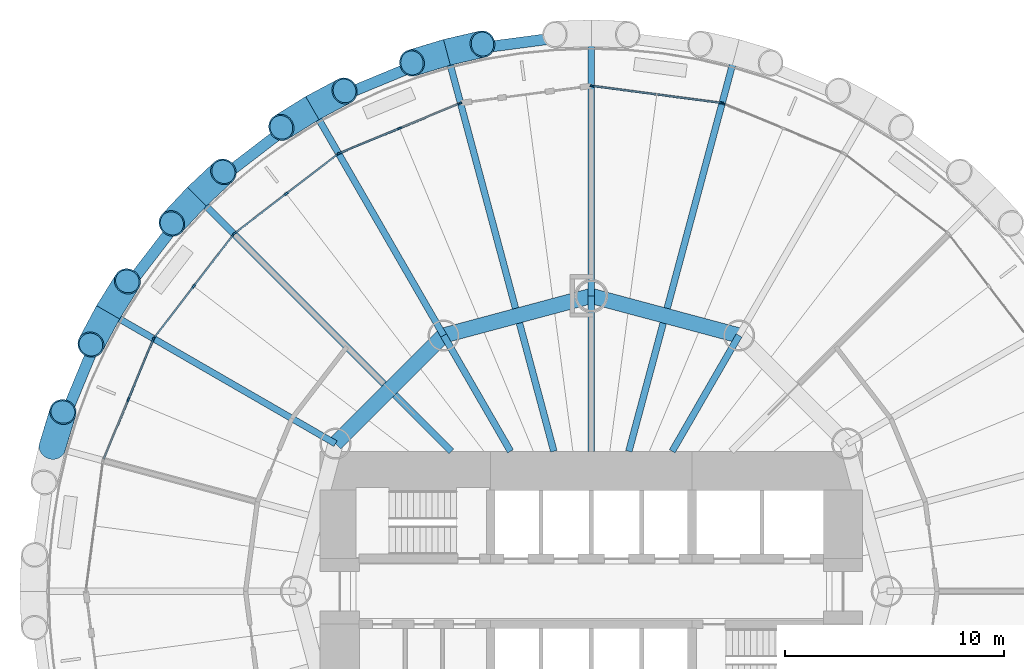
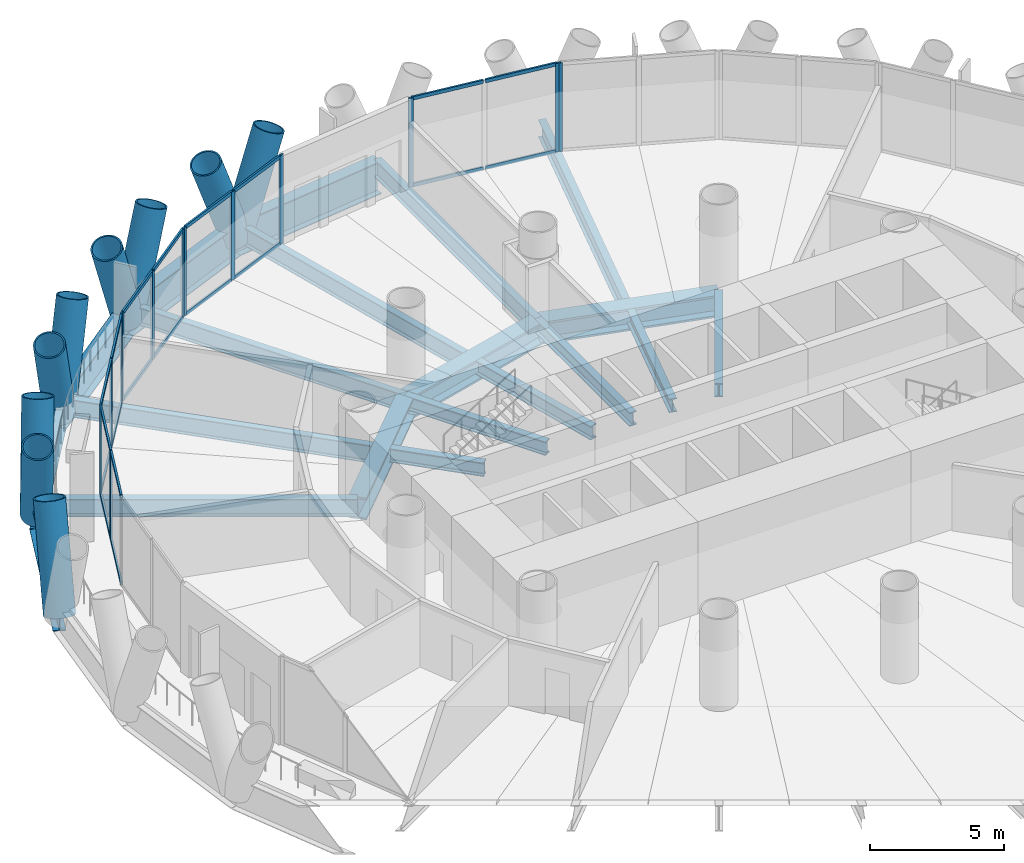
# One storey, part 5 of 14: 43 members, 20 beams, 6 elements without a shape of their own.
"""IFC4 building model written with IfcOpenShell, lengths in metres."""

import ifcopenshell
import ifcopenshell.guid

model = None  # the IFC model being written
_history = None  # IfcOwnerHistory: only IFC2X3 demands one
_inside = {}  # id of a spatial element -> (the spatial element, [elements in it])
_under = {}  # id of a project, library or spatial element -> (it, [spatial elements below it])
_declared = {}  # id of a project -> (the project, [libraries it declares])
_typed = {}  # id of a type object -> (the type object, [elements of that type])
_made_of = {}  # id of a material, layer set ... -> (it, [elements and type objects made of it])


def new_model(schema):
    """Start an empty IFC model of exactly this schema.

    Asked for "IFC4X3", IfcOpenShell would pick the latest addendum, in which some entities
    have other attributes; the version numbers below select the first issue.
    IFC2X3 requires an IfcOwnerHistory on every rooted entity: one is made here for all.
    """
    global model, _history
    if schema == "IFC4X3":
        model = ifcopenshell.file(schema_version=(4, 3, 0, 0))
    else:
        model = ifcopenshell.file(schema=schema)
    _inside.clear()
    _under.clear()
    _declared.clear()
    _typed.clear()
    _made_of.clear()
    _history = None
    if model.schema == "IFC2X3":
        org = make("IfcOrganization", Name="unknown")
        user = make(
            "IfcPersonAndOrganization",
            ThePerson=make("IfcPerson", FamilyName="unknown"),
            TheOrganization=org,
        )
        app = make(
            "IfcApplication",
            ApplicationDeveloper=org,
            Version="unknown",
            ApplicationFullName="unknown",
            ApplicationIdentifier="unknown",
        )
        _history = make(
            "IfcOwnerHistory",
            OwningUser=user,
            OwningApplication=app,
            ChangeAction="ADDED",
            CreationDate=0,
        )
    return model


def make(cls, **values):
    """One entity of the class cls with the attributes given. An attribute that is None is left unset."""
    return model.create_entity(
        cls, **{name: value for name, value in values.items() if value is not None}
    )


def rooted(cls, **values):
    """An entity with a GlobalId (a new one), such as an element, a storey or a relation."""
    return make(cls, GlobalId=ifcopenshell.guid.new(), OwnerHistory=_history, **values)


def si_unit(unit_type, name, prefix=None):
    """IfcSIUnit, for example si_unit("LENGTHUNIT", "METRE", prefix="MILLI")."""
    return make("IfcSIUnit", UnitType=unit_type, Prefix=prefix, Name=name)


def assignment(units):
    """IfcUnitAssignment: the units of a project."""
    return None if units is None else make("IfcUnitAssignment", Units=units)


def point(xyz):
    """IfcCartesianPoint."""
    return None if xyz is None else make("IfcCartesianPoint", Coordinates=xyz)


def direction(xyz):
    """IfcDirection."""
    return None if xyz is None else make("IfcDirection", DirectionRatios=xyz)


def frame(location, z_axis=None, x_axis=None):
    """IfcAxis2Placement3D, a coordinate frame: its origin and axes. An axis left out is left unset."""
    return make(
        "IfcAxis2Placement3D",
        Location=point(location),
        Axis=direction(z_axis),
        RefDirection=direction(x_axis),
    )


def frame_2d(location, x_axis=None):
    """IfcAxis2Placement2D, a coordinate frame in the plane: its origin and x axis."""
    return make(
        "IfcAxis2Placement2D", Location=point(location), RefDirection=direction(x_axis)
    )


def origin():
    """The frame at (0, 0, 0) with its axes left unset."""
    return frame((0.0, 0.0, 0.0))


def origin_2d():
    """The frame at (0, 0) in the plane with its x axis left unset."""
    return frame_2d((0.0, 0.0))


def place(relative_to, where):
    """IfcLocalPlacement: puts the frame where relative to a parent placement (None: the world)."""
    return make(
        "IfcLocalPlacement", PlacementRelTo=relative_to, RelativePlacement=where
    )


def context(
    kind, dimensions, precision=None, world=None, true_north=None, identifier=None
):
    """IfcGeometricRepresentationContext, for example the 3D "Model" context."""
    return make(
        "IfcGeometricRepresentationContext",
        ContextIdentifier=identifier,
        ContextType=kind,
        CoordinateSpaceDimension=dimensions,
        Precision=precision,
        WorldCoordinateSystem=world,
        TrueNorth=true_north,
    )


def subcontext(parent, identifier, kind, view, scale=None):
    """IfcGeometricRepresentationSubContext, for example "Body" below "Model"."""
    return make(
        "IfcGeometricRepresentationSubContext",
        ContextIdentifier=identifier,
        ContextType=kind,
        ParentContext=parent,
        TargetScale=scale,
        TargetView=view,
    )


def project(units=None, contexts=None):
    """IfcProject with its units and contexts."""
    return rooted(
        "IfcProject",
        Name="project",
        RepresentationContexts=contexts,
        UnitsInContext=assignment(units),
    )


def spatial(cls, under=None, at=None, **own):
    """A site, building, storey or space (cls), placed at a placement, below another one or the project."""
    s = rooted(cls, ObjectPlacement=at, **own)
    if under is not None:
        _under.setdefault(under.id(), (under, []))[1].append(s)
    return s


def profile(cls, at=None, kind="AREA", **sizes):
    """A parametric profile (cls). Its sizes go by their IFC names, for example OverallWidth=200.0."""
    return make(cls, ProfileType=kind, Position=at, **sizes)


def rectangle(**sizes):
    """IfcRectangleProfileDef."""
    return profile("IfcRectangleProfileDef", **sizes)


def hollow_circle(**sizes):
    """IfcCircleHollowProfileDef."""
    return profile("IfcCircleHollowProfileDef", **sizes)


def i_section(**sizes):
    """IfcIShapeProfileDef."""
    return profile("IfcIShapeProfileDef", **sizes)


def extrude(swept, where, along, depth):
    """IfcExtrudedAreaSolid: the profile swept, set in the frame where, extruded along a direction by depth."""
    return make(
        "IfcExtrudedAreaSolid",
        SweptArea=swept,
        Position=where,
        ExtrudedDirection=direction(along),
        Depth=depth,
    )


def shape(context_of_items, identifier, shape_type, items):
    """IfcShapeRepresentation: the items that make up one representation, for example the "Body"."""
    return make(
        "IfcShapeRepresentation",
        ContextOfItems=context_of_items,
        RepresentationIdentifier=identifier,
        RepresentationType=shape_type,
        Items=items,
    )


def material(Name=None, Category=None):
    """IfcMaterial."""
    return make("IfcMaterial", Name=Name, Category=Category)


def material_profile(
    of_material, cross_section, Name=None, Category=None, Priority=None
):
    """IfcMaterialProfile: a cross section and its material."""
    return make(
        "IfcMaterialProfile",
        Name=Name,
        Material=of_material,
        Profile=cross_section,
        Priority=Priority,
        Category=Category,
    )


def profile_set(profiles, Name=None, composite=None):
    """IfcMaterialProfileSet."""
    return make(
        "IfcMaterialProfileSet",
        Name=Name,
        MaterialProfiles=profiles,
        CompositeProfile=composite,
    )


def made_of(thing, what):
    """Note that an element or type object is made of a material, layer set ...; save() writes the relation."""
    if what is not None:
        _made_of.setdefault(what.id(), (what, []))[1].append(thing)
    return thing


def type_object(cls, material=None, **own):
    """A type object (cls), such as IfcWallType, which elements share."""
    return made_of(rooted(cls, **own), material)


def element(
    cls,
    number,
    at=None,
    inside=None,
    cuts=None,
    type_object=None,
    material=None,
    context=None,
    identifier="Body",
    shape_type=None,
    held_by="IfcProductDefinitionShape",
    body=None,
    shapes=None,
    **own,
):
    """One element of the class cls, such as IfcWall. Its Tag is "e" and its number.

    at: its placement. inside: the storey or other place that contains it. cuts: it is an
    opening in that element (IfcRelVoidsElement). A single representation is given by context,
    identifier, shape_type and body (its items); several are given by shapes. held_by: the class
    of the entity that holds the representations. save() writes the other relations.
    """
    e = rooted(cls, Tag="e%d" % number, ObjectPlacement=at, **own)
    if body is not None:
        shapes = [shape(context, identifier, shape_type, body)]
    if shapes is not None:
        e.Representation = make(held_by, Representations=shapes)
    if inside is not None:
        _inside.setdefault(inside.id(), (inside, []))[1].append(e)
    if cuts is not None:
        rooted(
            "IfcRelVoidsElement", RelatingBuildingElement=cuts, RelatedOpeningElement=e
        )
    if type_object is not None:
        _typed.setdefault(type_object.id(), (type_object, []))[1].append(e)
    return made_of(e, material)


def aggregate(whole, parts):
    """IfcRelAggregates: a whole, such as a stair, and the parts it consists of."""
    return rooted("IfcRelAggregates", RelatingObject=whole, RelatedObjects=parts)


def save(model, path):
    """Write the relations noted so far, then the file.

    IfcRelAggregates (storeys below a building ...), IfcRelContainedInSpatialStructure (elements
    in a storey), IfcRelDefinesByType, IfcRelAssociatesMaterial and IfcRelDeclares: one each for
    every whole, place, type object, material and project.
    """
    for whole, parts in _under.values():
        aggregate(whole, parts)
    for where, things in _inside.values():
        rooted(
            "IfcRelContainedInSpatialStructure",
            RelatedElements=things,
            RelatingStructure=where,
        )
    for kind, things in _typed.values():
        rooted("IfcRelDefinesByType", RelatedObjects=things, RelatingType=kind)
    for what, things in _made_of.values():
        rooted("IfcRelAssociatesMaterial", RelatedObjects=things, RelatingMaterial=what)
    for by, libraries in _declared.values():
        rooted("IfcRelDeclares", RelatingContext=by, RelatedDefinitions=libraries)
    model.write(path)


model = new_model("IFC4")

# Units and contexts
model_context = context("Model", 3, precision=1e-05, world=origin(), true_north=direction((0.0, 1.0)))
body_context = subcontext(model_context, "Body", "Model", "MODEL_VIEW")
ifc_project = project(units=[si_unit("LENGTHUNIT", "METRE"), si_unit("AREAUNIT", "SQUARE_METRE"), si_unit("VOLUMEUNIT", "CUBIC_METRE"), si_unit("PLANEANGLEUNIT", "RADIAN"), si_unit("MASSUNIT", "GRAM", prefix="KILO")], contexts=[model_context])

# Site, building, storey
site_placement = place(None, origin())
site = spatial("IfcSite", under=ifc_project, at=site_placement, CompositionType="ELEMENT")
building_placement = place(site_placement, origin())
building = spatial("IfcBuilding", under=site, at=building_placement, Name="Qaws Media Tower", CompositionType="ELEMENT")
storey_placement = place(building_placement, frame((0.0, 0.0, 76.39990234375)))
storey = spatial("IfcBuildingStorey", under=building, at=storey_placement, Name="L16", CompositionType="ELEMENT", Elevation=76.39990234375)

# Curtain wall, member
ifc_material_1 = material(Name="Aluminium and clear glass", Category="aluminium")
curtain_wall_type = type_object("IfcCurtainWallType", Name="Unitised curtain wall CW-A", PredefinedType="NOTDEFINED", material=ifc_material_1)
curtain_wall_1_placement = place(storey_placement, origin())
curtain_wall_1 = element("IfcCurtainWall", 1, at=curtain_wall_1_placement, inside=storey, type_object=curtain_wall_type, Name="CWA curtain wall L16-05", PredefinedType="NOTDEFINED")
ifc_material_2 = material(Name="Aluminium mullion", Category="aluminium")
ifc_material_profile_1 = material_profile(ifc_material_2, rectangle(XDim=0.080078125, YDim=0.199951171875, at=origin_2d()), Name="80x200")
ifc_profile_set_1 = profile_set([ifc_material_profile_1], Name="Aluminium mullion")
member_type_1 = type_object("IfcMemberType", Name="Curtain wall mullion 80x200", PredefinedType="MULLION", material=ifc_profile_set_1)
member_1_placement = place(storey_placement, frame((66.015625, 72.297607421875, 0.0), z_axis=(0.0, 0.0, 1.0), x_axis=(-0.382683469758, -0.923879517022, 0.0)))
member_1 = element("IfcMember", 2, at=member_1_placement, type_object=member_type_1, Name="CWA mullion 3", PredefinedType="MULLION", context=body_context, shape_type="SweptSolid", body=[
    extrude(rectangle(XDim=0.080078125, YDim=0.199951171875, at=origin_2d()), origin(), (0.0, 0.0, 1.0), 4.0400390625),
])
aggregate(curtain_wall_1, [member_1])

# Curtain wall, members
curtain_wall_2_placement = place(storey_placement, origin())
curtain_wall_2 = element("IfcCurtainWall", 3, at=curtain_wall_2_placement, inside=storey, type_object=curtain_wall_type, Name="CWA curtain wall L16-06", PredefinedType="NOTDEFINED")
member_2_placement = place(storey_placement, frame((65.93896484375, 72.318115234375, 0.0), z_axis=(0.0, 0.0, 1.0), x_axis=(-0.130526123696, -0.991444870395, 0.0)))
member_2 = element("IfcMember", 4, at=member_2_placement, type_object=member_type_1, Name="CWA mullion 1", PredefinedType="MULLION", context=body_context, shape_type="SweptSolid", body=[
    extrude(rectangle(XDim=0.080078125, YDim=0.199951171875, at=origin_2d()), origin(), (0.0, 0.0, 1.0), 4.0400390625),
])
member_3_placement = place(storey_placement, frame((60.03955078125, 73.0947265625, 0.0), z_axis=(0.0, 0.0, 1.0), x_axis=(-0.130526123696, -0.991444870395, 0.0)))
member_3 = element("IfcMember", 5, at=member_3_placement, type_object=member_type_1, Name="CWA mullion 3", PredefinedType="MULLION", context=body_context, shape_type="SweptSolid", body=[
    extrude(rectangle(XDim=0.080078125, YDim=0.199951171875, at=origin_2d()), origin(), (0.0, 0.0, 1.0), 4.0400390625),
])

curtain_wall_3_placement = place(storey_placement, origin())
curtain_wall_3 = element("IfcCurtainWall", 6, at=curtain_wall_3_placement, inside=storey, type_object=curtain_wall_type, Name="CWA curtain wall L16-08", PredefinedType="NOTDEFINED")
member_4_placement = place(storey_placement, frame((53.984375, 72.297607421875, 0.0), z_axis=(0.0, 0.0, 1.0), x_axis=(0.382683469758, -0.923879517022, 0.0)))
member_4 = element("IfcMember", 7, at=member_4_placement, type_object=member_type_1, Name="CWA mullion 1", PredefinedType="MULLION", context=body_context, shape_type="SweptSolid", body=[
    extrude(rectangle(XDim=0.080078125, YDim=0.199951171875, at=origin_2d()), origin(), (0.0, 0.0, 1.0), 4.0400390625),
])
member_5_placement = place(storey_placement, frame((51.235595703125, 71.158935546875, 0.0), z_axis=(0.0, 0.0, 1.0), x_axis=(0.382683469758, -0.923879517022, 0.0)))
member_5 = element("IfcMember", 8, at=member_5_placement, type_object=member_type_1, Name="CWA mullion 2", PredefinedType="MULLION", context=body_context, shape_type="SweptSolid", body=[
    extrude(rectangle(XDim=0.080078125, YDim=0.199951171875, at=origin_2d()), origin(), (0.0, 0.0, 1.0), 4.0400390625),
])
member_6_placement = place(storey_placement, frame((48.487060546875, 70.0205078125, 0.0), z_axis=(0.0, 0.0, 1.0), x_axis=(0.382683469758, -0.923879517022, 0.0)))
member_6 = element("IfcMember", 9, at=member_6_placement, type_object=member_type_1, Name="CWA mullion 3", PredefinedType="MULLION", context=body_context, shape_type="SweptSolid", body=[
    extrude(rectangle(XDim=0.080078125, YDim=0.199951171875, at=origin_2d()), origin(), (0.0, 0.0, 1.0), 4.0400390625),
])

curtain_wall_4_placement = place(storey_placement, origin())
curtain_wall_4 = element("IfcCurtainWall", 10, at=curtain_wall_4_placement, inside=storey, type_object=curtain_wall_type, Name="CWA curtain wall L16-09", PredefinedType="NOTDEFINED")
member_7_placement = place(storey_placement, frame((48.418212890625, 69.98095703125, 0.0), z_axis=(0.0, 0.0, 1.0), x_axis=(0.608761381612, -0.79335337666, 0.0)))
member_7 = element("IfcMember", 11, at=member_7_placement, type_object=member_type_1, Name="CWA mullion 1", PredefinedType="MULLION", context=body_context, shape_type="SweptSolid", body=[
    extrude(rectangle(XDim=0.080078125, YDim=0.199951171875, at=origin_2d()), origin(), (0.0, 0.0, 1.0), 4.0400390625),
])
member_8_placement = place(storey_placement, frame((46.057861328125, 68.169677734375, 0.0), z_axis=(0.0, 0.0, 1.0), x_axis=(0.608761381612, -0.79335337666, 0.0)))
member_8 = element("IfcMember", 12, at=member_8_placement, type_object=member_type_1, Name="CWA mullion 2", PredefinedType="MULLION", context=body_context, shape_type="SweptSolid", body=[
    extrude(rectangle(XDim=0.080078125, YDim=0.199951171875, at=origin_2d()), origin(), (0.0, 0.0, 1.0), 4.0400390625),
])
member_9_placement = place(storey_placement, frame((43.697509765625, 66.3583984375, 0.0), z_axis=(0.0, 0.0, 1.0), x_axis=(0.608761381612, -0.79335337666, 0.0)))
member_9 = element("IfcMember", 13, at=member_9_placement, type_object=member_type_1, Name="CWA mullion 3", PredefinedType="MULLION", context=body_context, shape_type="SweptSolid", body=[
    extrude(rectangle(XDim=0.080078125, YDim=0.199951171875, at=origin_2d()), origin(), (0.0, 0.0, 1.0), 4.0400390625),
])

curtain_wall_5_placement = place(storey_placement, origin())
curtain_wall_5 = element("IfcCurtainWall", 14, at=curtain_wall_5_placement, inside=storey, type_object=curtain_wall_type, Name="CWA curtain wall L16-10", PredefinedType="NOTDEFINED")
member_10_placement = place(storey_placement, frame((43.6416015625, 66.302490234375, 0.0), z_axis=(0.0, 0.0, 1.0), x_axis=(0.79335337666, -0.608761381612, 0.0)))
member_10 = element("IfcMember", 15, at=member_10_placement, type_object=member_type_1, Name="CWA mullion 1", PredefinedType="MULLION", context=body_context, shape_type="SweptSolid", body=[
    extrude(rectangle(XDim=0.080078125, YDim=0.199951171875, at=origin_2d()), origin(), (0.0, 0.0, 1.0), 4.0400390625),
])
member_11_placement = place(storey_placement, frame((41.830322265625, 63.942138671875, 0.0), z_axis=(0.0, 0.0, 1.0), x_axis=(0.79335337666, -0.608761381612, 0.0)))
member_11 = element("IfcMember", 16, at=member_11_placement, type_object=member_type_1, Name="CWA mullion 2", PredefinedType="MULLION", context=body_context, shape_type="SweptSolid", body=[
    extrude(rectangle(XDim=0.080078125, YDim=0.199951171875, at=origin_2d()), origin(), (0.0, 0.0, 1.0), 4.0400390625),
])
member_12_placement = place(storey_placement, frame((40.01904296875, 61.581787109375, 0.0), z_axis=(0.0, 0.0, 1.0), x_axis=(0.79335337666, -0.608761381612, 0.0)))
member_12 = element("IfcMember", 17, at=member_12_placement, type_object=member_type_1, Name="CWA mullion 3", PredefinedType="MULLION", context=body_context, shape_type="SweptSolid", body=[
    extrude(rectangle(XDim=0.080078125, YDim=0.199951171875, at=origin_2d()), origin(), (0.0, 0.0, 1.0), 4.0400390625),
])

curtain_wall_6_placement = place(storey_placement, origin())
curtain_wall_6 = element("IfcCurtainWall", 18, at=curtain_wall_6_placement, inside=storey, type_object=curtain_wall_type, Name="CWA curtain wall L16-11", PredefinedType="NOTDEFINED")
member_13_placement = place(storey_placement, frame((39.9794921875, 61.512939453125, 0.0), z_axis=(0.0, 0.0, 1.0), x_axis=(0.923879517022, -0.382683469758, 0.0)))
member_13 = element("IfcMember", 19, at=member_13_placement, type_object=member_type_1, Name="CWA mullion 1", PredefinedType="MULLION", context=body_context, shape_type="SweptSolid", body=[
    extrude(rectangle(XDim=0.080078125, YDim=0.199951171875, at=origin_2d()), origin(), (0.0, 0.0, 1.0), 4.0400390625),
])
member_14_placement = place(storey_placement, frame((38.841064453125, 58.764404296875, 0.0), z_axis=(0.0, 0.0, 1.0), x_axis=(0.923879517022, -0.382683469758, 0.0)))
member_14 = element("IfcMember", 20, at=member_14_placement, type_object=member_type_1, Name="CWA mullion 2", PredefinedType="MULLION", context=body_context, shape_type="SweptSolid", body=[
    extrude(rectangle(XDim=0.080078125, YDim=0.199951171875, at=origin_2d()), origin(), (0.0, 0.0, 1.0), 4.0400390625),
])

# Member
ifc_material_3 = material(Name="Aluminium transom", Category="aluminium")
ifc_material_profile_2 = material_profile(ifc_material_3, rectangle(XDim=0.080078125, YDim=0.159912109375, at=origin_2d()), Name="80x160")
ifc_profile_set_2 = profile_set([ifc_material_profile_2], Name="Aluminium transom")
member_type_2 = type_object("IfcMemberType", Name="Curtain wall transom 80x160", PredefinedType="USERDEFINED", material=ifc_profile_set_2)
member_15_placement = place(storey_placement, frame((65.8994140625, 72.3232421875, 0.0400390625), z_axis=(-0.991443097924, 0.130539586254, 0.0), x_axis=(-0.130539586254, -0.991443097924, 0.0)))
member_15 = element("IfcMember", 21, at=member_15_placement, type_object=member_type_2, Name="CWA transom 1.1", ObjectType="TRANSOM", PredefinedType="USERDEFINED", context=body_context, shape_type="SweptSolid", body=[
    extrude(rectangle(XDim=0.080078125, YDim=0.159912109375, at=origin_2d()), origin(), (0.0, 0.0, 1.0), 2.89501953125),
])

member_16_placement = place(storey_placement, frame((65.8994140625, 72.3232421875, 4.0), z_axis=(-0.991443097924, 0.130539586254, 0.0), x_axis=(-0.130539586254, -0.991443097924, 0.0)))
member_16 = element("IfcMember", 22, at=member_16_placement, type_object=member_type_2, Name="CWA transom 1.2", ObjectType="TRANSOM", PredefinedType="USERDEFINED", context=body_context, shape_type="SweptSolid", body=[
    extrude(rectangle(XDim=0.080078125, YDim=0.159912109375, at=origin_2d()), origin(), (0.0, 0.0, 1.0), 2.89501953125),
])

member_17_placement = place(storey_placement, frame((62.94970703125, 72.711669921875, 0.0400390625), z_axis=(-0.991443097924, 0.130539586254, 0.0), x_axis=(-0.130539586254, -0.991443097924, 0.0)))
member_17 = element("IfcMember", 23, at=member_17_placement, type_object=member_type_2, Name="CWA transom 2.1", ObjectType="TRANSOM", PredefinedType="USERDEFINED", context=body_context, shape_type="SweptSolid", body=[
    extrude(rectangle(XDim=0.080078125, YDim=0.159912109375, at=origin_2d()), origin(), (0.0, 0.0, 1.0), 2.89501953125),
])

member_18_placement = place(storey_placement, frame((62.94970703125, 72.711669921875, 4.0), z_axis=(-0.991443097924, 0.130539586254, 0.0), x_axis=(-0.130539586254, -0.991443097924, 0.0)))
member_18 = element("IfcMember", 24, at=member_18_placement, type_object=member_type_2, Name="CWA transom 2.2", ObjectType="TRANSOM", PredefinedType="USERDEFINED", context=body_context, shape_type="SweptSolid", body=[
    extrude(rectangle(XDim=0.080078125, YDim=0.159912109375, at=origin_2d()), origin(), (0.0, 0.0, 1.0), 2.89501953125),
])

aggregate(curtain_wall_2, [member_2, member_3, member_15, member_16, member_17, member_18])

member_19_placement = place(storey_placement, frame((53.947265625, 72.2822265625, 0.0400390625), z_axis=(-0.923870872897, -0.382704337855, 0.0), x_axis=(0.382704337855, -0.923870872897, 0.0)))
member_19 = element("IfcMember", 25, at=member_19_placement, type_object=member_type_2, Name="CWA transom 1.1", ObjectType="TRANSOM", PredefinedType="USERDEFINED", context=body_context, shape_type="SweptSolid", body=[
    extrude(rectangle(XDim=0.080078125, YDim=0.159912109375, at=origin_2d()), origin(), (0.0, 0.0, 1.0), 2.89501953125),
])

member_20_placement = place(storey_placement, frame((53.947265625, 72.2822265625, 4.0), z_axis=(-0.923870872897, -0.382704337855, 0.0), x_axis=(0.382704337855, -0.923870872897, 0.0)))
member_20 = element("IfcMember", 26, at=member_20_placement, type_object=member_type_2, Name="CWA transom 1.2", ObjectType="TRANSOM", PredefinedType="USERDEFINED", context=body_context, shape_type="SweptSolid", body=[
    extrude(rectangle(XDim=0.080078125, YDim=0.159912109375, at=origin_2d()), origin(), (0.0, 0.0, 1.0), 2.89501953125),
])

member_21_placement = place(storey_placement, frame((51.19873046875, 71.143798828125, 0.0400390625), z_axis=(-0.923883223123, -0.382674522319, 0.0), x_axis=(0.382674522319, -0.923883223123, 0.0)))
member_21 = element("IfcMember", 27, at=member_21_placement, type_object=member_type_2, Name="CWA transom 2.1", ObjectType="TRANSOM", PredefinedType="USERDEFINED", context=body_context, shape_type="SweptSolid", body=[
    extrude(rectangle(XDim=0.080078125, YDim=0.159912109375, at=origin_2d()), origin(), (0.0, 0.0, 1.0), 2.895263671875),
])

member_22_placement = place(storey_placement, frame((51.19873046875, 71.143798828125, 4.0), z_axis=(-0.923883223123, -0.382674522319, 0.0), x_axis=(0.382674522319, -0.923883223123, 0.0)))
member_22 = element("IfcMember", 28, at=member_22_placement, type_object=member_type_2, Name="CWA transom 2.2", ObjectType="TRANSOM", PredefinedType="USERDEFINED", context=body_context, shape_type="SweptSolid", body=[
    extrude(rectangle(XDim=0.080078125, YDim=0.159912109375, at=origin_2d()), origin(), (0.0, 0.0, 1.0), 2.895263671875),
])

aggregate(curtain_wall_3, [member_4, member_5, member_6, member_19, member_20, member_21, member_22])

member_23_placement = place(storey_placement, frame((48.386474609375, 69.95654296875, 0.0400390625), z_axis=(-0.793353841353, -0.608760776012, 0.0), x_axis=(0.608760776012, -0.793353841353, 0.0)))
member_23 = element("IfcMember", 29, at=member_23_placement, type_object=member_type_2, Name="CWA transom 1.1", ObjectType="TRANSOM", PredefinedType="USERDEFINED", context=body_context, shape_type="SweptSolid", body=[
    extrude(rectangle(XDim=0.080078125, YDim=0.159912109375, at=origin_2d()), origin(), (0.0, 0.0, 1.0), 2.895263671875),
])

member_24_placement = place(storey_placement, frame((48.386474609375, 69.95654296875, 4.0), z_axis=(-0.793353841353, -0.608760776012, 0.0), x_axis=(0.608760776012, -0.793353841353, 0.0)))
member_24 = element("IfcMember", 30, at=member_24_placement, type_object=member_type_2, Name="CWA transom 1.2", ObjectType="TRANSOM", PredefinedType="USERDEFINED", context=body_context, shape_type="SweptSolid", body=[
    extrude(rectangle(XDim=0.080078125, YDim=0.159912109375, at=origin_2d()), origin(), (0.0, 0.0, 1.0), 2.895263671875),
])

member_25_placement = place(storey_placement, frame((46.026123046875, 68.145263671875, 0.0400390625), z_axis=(-0.793353841353, -0.608760776012, 0.0), x_axis=(0.608760776012, -0.793353841353, 0.0)))
member_25 = element("IfcMember", 31, at=member_25_placement, type_object=member_type_2, Name="CWA transom 2.1", ObjectType="TRANSOM", PredefinedType="USERDEFINED", context=body_context, shape_type="SweptSolid", body=[
    extrude(rectangle(XDim=0.080078125, YDim=0.159912109375, at=origin_2d()), origin(), (0.0, 0.0, 1.0), 2.895263671875),
])

member_26_placement = place(storey_placement, frame((46.026123046875, 68.145263671875, 4.0), z_axis=(-0.793353841353, -0.608760776012, 0.0), x_axis=(0.608760776012, -0.793353841353, 0.0)))
member_26 = element("IfcMember", 32, at=member_26_placement, type_object=member_type_2, Name="CWA transom 2.2", ObjectType="TRANSOM", PredefinedType="USERDEFINED", context=body_context, shape_type="SweptSolid", body=[
    extrude(rectangle(XDim=0.080078125, YDim=0.159912109375, at=origin_2d()), origin(), (0.0, 0.0, 1.0), 2.895263671875),
])

aggregate(curtain_wall_4, [member_7, member_8, member_9, member_23, member_24, member_25, member_26])

member_27_placement = place(storey_placement, frame((43.6171875, 66.270751953125, 0.0400390625), z_axis=(-0.608760776012, -0.793353841353, 0.0), x_axis=(0.793353841353, -0.608760776012, 0.0)))
member_27 = element("IfcMember", 33, at=member_27_placement, type_object=member_type_2, Name="CWA transom 1.1", ObjectType="TRANSOM", PredefinedType="USERDEFINED", context=body_context, shape_type="SweptSolid", body=[
    extrude(rectangle(XDim=0.080078125, YDim=0.159912109375, at=origin_2d()), origin(), (0.0, 0.0, 1.0), 2.895263671875),
])

member_28_placement = place(storey_placement, frame((43.6171875, 66.270751953125, 4.0), z_axis=(-0.608760776012, -0.793353841353, 0.0), x_axis=(0.793353841353, -0.608760776012, 0.0)))
member_28 = element("IfcMember", 34, at=member_28_placement, type_object=member_type_2, Name="CWA transom 1.2", ObjectType="TRANSOM", PredefinedType="USERDEFINED", context=body_context, shape_type="SweptSolid", body=[
    extrude(rectangle(XDim=0.080078125, YDim=0.159912109375, at=origin_2d()), origin(), (0.0, 0.0, 1.0), 2.895263671875),
])

member_29_placement = place(storey_placement, frame((41.805908203125, 63.910400390625, 0.0400390625), z_axis=(-0.608760776012, -0.793353841353, 0.0), x_axis=(0.793353841353, -0.608760776012, 0.0)))
member_29 = element("IfcMember", 35, at=member_29_placement, type_object=member_type_2, Name="CWA transom 2.1", ObjectType="TRANSOM", PredefinedType="USERDEFINED", context=body_context, shape_type="SweptSolid", body=[
    extrude(rectangle(XDim=0.080078125, YDim=0.159912109375, at=origin_2d()), origin(), (0.0, 0.0, 1.0), 2.895263671875),
])

member_30_placement = place(storey_placement, frame((41.805908203125, 63.910400390625, 4.0), z_axis=(-0.608760776012, -0.793353841353, 0.0), x_axis=(0.793353841353, -0.608760776012, 0.0)))
member_30 = element("IfcMember", 36, at=member_30_placement, type_object=member_type_2, Name="CWA transom 2.2", ObjectType="TRANSOM", PredefinedType="USERDEFINED", context=body_context, shape_type="SweptSolid", body=[
    extrude(rectangle(XDim=0.080078125, YDim=0.159912109375, at=origin_2d()), origin(), (0.0, 0.0, 1.0), 2.895263671875),
])

aggregate(curtain_wall_5, [member_10, member_11, member_12, member_27, member_28, member_29, member_30])

member_31_placement = place(storey_placement, frame((39.964111328125, 61.47607421875, 0.0400390625), z_axis=(-0.382674522319, -0.923883223123, 0.0), x_axis=(0.923883223123, -0.382674522319, 0.0)))
member_31 = element("IfcMember", 37, at=member_31_placement, type_object=member_type_2, Name="CWA transom 1.1", ObjectType="TRANSOM", PredefinedType="USERDEFINED", context=body_context, shape_type="SweptSolid", body=[
    extrude(rectangle(XDim=0.080078125, YDim=0.159912109375, at=origin_2d()), origin(), (0.0, 0.0, 1.0), 2.895263671875),
])

member_32_placement = place(storey_placement, frame((39.964111328125, 61.47607421875, 4.0), z_axis=(-0.382674522319, -0.923883223123, 0.0), x_axis=(0.923883223123, -0.382674522319, 0.0)))
member_32 = element("IfcMember", 38, at=member_32_placement, type_object=member_type_2, Name="CWA transom 1.2", ObjectType="TRANSOM", PredefinedType="USERDEFINED", context=body_context, shape_type="SweptSolid", body=[
    extrude(rectangle(XDim=0.080078125, YDim=0.159912109375, at=origin_2d()), origin(), (0.0, 0.0, 1.0), 2.895263671875),
])

member_33_placement = place(storey_placement, frame((38.82568359375, 58.727294921875, 0.0400390625), z_axis=(-0.382704337855, -0.923870872897, 0.0), x_axis=(0.923870872897, -0.382704337855, 0.0)))
member_33 = element("IfcMember", 39, at=member_33_placement, type_object=member_type_2, Name="CWA transom 2.1", ObjectType="TRANSOM", PredefinedType="USERDEFINED", context=body_context, shape_type="SweptSolid", body=[
    extrude(rectangle(XDim=0.080078125, YDim=0.159912109375, at=origin_2d()), origin(), (0.0, 0.0, 1.0), 2.89501953125),
])

member_34_placement = place(storey_placement, frame((38.82568359375, 58.727294921875, 4.0), z_axis=(-0.382704337855, -0.923870872897, 0.0), x_axis=(0.923870872897, -0.382704337855, 0.0)))
member_34 = element("IfcMember", 40, at=member_34_placement, type_object=member_type_2, Name="CWA transom 2.2", ObjectType="TRANSOM", PredefinedType="USERDEFINED", context=body_context, shape_type="SweptSolid", body=[
    extrude(rectangle(XDim=0.080078125, YDim=0.159912109375, at=origin_2d()), origin(), (0.0, 0.0, 1.0), 2.89501953125),
])

aggregate(curtain_wall_6, [member_13, member_14, member_31, member_32, member_33, member_34])

# Members
ifc_material_4 = material(Name="Steel S460", Category="steel")
ifc_material_profile_3 = material_profile(ifc_material_4, hollow_circle(Radius=0.609619140625, WallThickness=0.06005859375, at=origin_2d()), Name="CHS 1219x60")
ifc_profile_set_3 = profile_set([ifc_material_profile_3], Name="Steel S460")
member_type_3 = type_object("IfcMemberType", Name="Diagrid member CHS 1219x60", PredefinedType="USERDEFINED", material=ifc_profile_set_3)
for number, where, z_axis, x_axis, name in (
    (41, (53.400146484375, 74.631103515625, -0.909912109375), (-0.353353840999, -0.107178416227, 0.929329785462), (0.290259134393, -0.956948083702, 0.0), "DG1 diagrid L16 A08"),
    (42, (53.400146484375, 74.631103515625, -0.909912109375), (0.359571492302, 0.083842391234, 0.92934320644), (-0.227081601553, 0.973875734494, 0.0), "DG1 diagrid L16 B08"),
    (43, (47.25, 72.083740234375, -0.909912109375), (-0.31354119219, -0.195017867644, 0.929333068442), (0.528156564892, -0.84914700904, 0.0), "DG1 diagrid L16 A09"),
    (44, (47.25, 72.083740234375, -0.909912109375), (0.32564223674, 0.174057612272, 0.929333675953), (-0.471392967129, 0.881923279283, 0.0), "DG1 diagrid L16 B09"),
    (45, (41.96875, 68.03125, -0.909912109375), (-0.25238907364, -0.269513931591, 0.929334168201), (0.729915782041, -0.683537088333, 0.0), "DG1 diagrid L16 A10"),
    (46, (41.96875, 68.03125, -0.909912109375), (0.269513931591, 0.25238907364, 0.929334168201), (-0.683537088333, 0.729915782041, 0.0), "DG1 diagrid L16 B10"),
    (47, (37.916259765625, 62.75, -0.909912109375), (-0.174057612272, -0.32564223674, 0.929333675953), (0.881923279283, -0.471392967129, 0.0), "DG1 diagrid L16 A11"),
    (48, (37.916259765625, 62.75, -0.909912109375), (0.195017867644, 0.31354119219, 0.929333068442), (-0.84914700904, 0.528156564892, 0.0), "DG1 diagrid L16 B11"),
    (49, (35.368896484375, 56.599853515625, -0.909912109375), (0.107178416227, 0.353353840999, 0.929329785462), (-0.956948083702, 0.290259134393, 0.0), "DG1 diagrid L16 B12"),
):
    element("IfcMember", number, at=place(storey_placement, frame(where, z_axis=z_axis, x_axis=x_axis)), inside=storey, type_object=member_type_3, Name=name, ObjectType="DIAGRID", PredefinedType="USERDEFINED", context=body_context, shape_type="SweptSolid", body=[
        extrude(hollow_circle(Radius=0.609619140625, WallThickness=0.06005859375, at=origin_2d()), origin(), (0.0, 0.0, 1.0), 4.519287109375),
    ])

# Beams
ifc_material_5 = material(Name="Steel S460", Category="steel")
ifc_material_profile_4 = material_profile(ifc_material_5, i_section(OverallWidth=0.5, OverallDepth=1.5, WebThickness=0.02001953125, FlangeThickness=0.0400390625, at=origin_2d()), Name="PG 1500x500")
ifc_profile_set_4 = profile_set([ifc_material_profile_4], Name="Steel S460")
beam_type_1 = type_object("IfcBeamType", Name="Edge ring beam PG 1500x500", PredefinedType="BEAM", material=ifc_profile_set_4)
for number, where, z_axis, x_axis, name in (
    (50, (60.0, 75.5, -0.909912109375), (-0.991444680864, -0.130527563319, 0.0), (0.130527563319, -0.991444680864, 0.0), "RB4 edge ring beam L16-07"),
    (51, (53.400146484375, 74.631103515625, -0.909912109375), (-0.923885417312, -0.382669224891, 0.0), (0.382669224891, -0.923885417312, 0.0), "RB4 edge ring beam L16-08"),
):
    element("IfcBeam", number, at=place(storey_placement, frame(where, z_axis=z_axis, x_axis=x_axis)), inside=storey, type_object=beam_type_1, Name=name, PredefinedType="BEAM", context=body_context, shape_type="SweptSolid", body=[
        extrude(i_section(OverallWidth=0.5, OverallDepth=1.5, WebThickness=0.02001953125, FlangeThickness=0.0400390625, at=origin_2d()), origin(), (0.0, 0.0, 1.0), 6.65673828125),
    ])
for number, where, z_axis, x_axis, name in (
    (52, (47.25, 72.083740234375, -0.909912109375), (-0.793350106032, -0.608765643954, 0.0), (0.608765643954, -0.793350106032, 0.0), "RB4 edge ring beam L16-09"),
    (53, (41.96875, 68.03125, -0.909912109375), (-0.608765643954, -0.793350106032, 0.0), (0.793350106032, -0.608765643954, 0.0), "RB4 edge ring beam L16-10"),
):
    element("IfcBeam", number, at=place(storey_placement, frame(where, z_axis=z_axis, x_axis=x_axis)), inside=storey, type_object=beam_type_1, Name=name, PredefinedType="BEAM", context=body_context, shape_type="SweptSolid", body=[
        extrude(i_section(OverallWidth=0.5, OverallDepth=1.5, WebThickness=0.02001953125, FlangeThickness=0.0400390625, at=origin_2d()), origin(), (0.0, 0.0, 1.0), 6.656982421875),
    ])
beam_1_placement = place(storey_placement, frame((37.916259765625, 62.75, -0.909912109375), z_axis=(-0.382669224891, -0.923885417312, 0.0), x_axis=(0.923885417312, -0.382669224891, 0.0)))
element("IfcBeam", 54, at=beam_1_placement, inside=storey, type_object=beam_type_1, Name="RB4 edge ring beam L16-11", PredefinedType="BEAM", context=body_context, shape_type="SweptSolid", body=[
    extrude(i_section(OverallWidth=0.5, OverallDepth=1.5, WebThickness=0.02001953125, FlangeThickness=0.0400390625, at=origin_2d()), origin(), (0.0, 0.0, 1.0), 6.65673828125),
])
ifc_material_6 = material(Name="Steel S460", Category="steel")
ifc_material_profile_5 = material_profile(ifc_material_6, i_section(OverallWidth=0.699951171875, OverallDepth=1.0, WebThickness=0.034912109375, FlangeThickness=0.090087890625, at=origin_2d()), Name="PG 1000x700")
ifc_profile_set_5 = profile_set([ifc_material_profile_5], Name="Steel S460")
beam_type_2 = type_object("IfcBeamType", Name="Inner ring girder PG 1000x700", PredefinedType="BEAM", material=ifc_profile_set_5)
for number, where, z_axis, x_axis, name in (
    (55, (66.75, 61.69140625, -0.659912109375), (-0.965928090778, 0.258810593767, 0.0), (-0.258810593767, -0.965928090778, 0.0), "B3 inner ring beam L16 I03-I04"),
    (56, (60.0, 63.5, -0.659912109375), (-0.965928090778, -0.258810593767, 0.0), (0.258810593767, -0.965928090778, 0.0), "B3 inner ring beam L16 I04-I05"),
):
    element("IfcBeam", number, at=place(storey_placement, frame(where, z_axis=z_axis, x_axis=x_axis)), inside=storey, type_object=beam_type_2, Name=name, PredefinedType="BEAM", context=body_context, shape_type="SweptSolid", body=[
        extrude(i_section(OverallWidth=0.699951171875, OverallDepth=1.0, WebThickness=0.034912109375, FlangeThickness=0.090087890625, at=origin_2d()), origin(), (0.0, 0.0, 1.0), 6.988037109375),
    ])
beam_2_placement = place(storey_placement, frame((53.25, 61.69140625, -0.659912109375), z_axis=(-0.707106781187, -0.707106781187, 0.0), x_axis=(0.707106781187, -0.707106781187, 0.0)))
element("IfcBeam", 57, at=beam_2_placement, inside=storey, type_object=beam_type_2, Name="B3 inner ring beam L16 I05-I06", PredefinedType="BEAM", context=body_context, shape_type="SweptSolid", body=[
    extrude(i_section(OverallWidth=0.699951171875, OverallDepth=1.0, WebThickness=0.034912109375, FlangeThickness=0.090087890625, at=origin_2d()), origin(), (0.0, 0.0, 1.0), 6.98828125),
])
ifc_material_7 = material(Name="Steel S355", Category="steel")
ifc_material_profile_6 = material_profile(ifc_material_7, i_section(OverallWidth=0.304931640625, OverallDepth=0.6201171875, WebThickness=0.02099609375, FlangeThickness=0.0400390625, FilletRadius=0.027099609375, at=origin_2d()), Name="HE 600 M")
ifc_profile_set_6 = profile_set([ifc_material_profile_6], Name="Steel S355")
beam_type_3 = type_object("IfcBeamType", Name="Radial beam HE 600 M, core side", PredefinedType="BEAM", material=ifc_profile_set_6)
beam_3_placement = place(storey_placement, frame((63.695068359375, 56.39990234375, -0.469970703125), z_axis=(0.49998532359, 0.866033877048, 0.0), x_axis=(-0.866033877048, 0.49998532359, 0.0)))
element("IfcBeam", 58, at=beam_3_placement, inside=storey, type_object=beam_type_3, Name="B2 radial beam L16 05", PredefinedType="BEAM", context=body_context, shape_type="SweptSolid", body=[
    extrude(i_section(OverallWidth=0.304931640625, OverallDepth=0.6201171875, WebThickness=0.02099609375, FlangeThickness=0.0400390625, FilletRadius=0.027099609375, at=origin_2d()), origin(), (0.0, 0.0, 1.0), 6.110107421875),
])
beam_4_placement = place(storey_placement, frame((61.71484375, 56.39990234375, -0.469970703125), z_axis=(0.258822614448, 0.965924869879, 0.0), x_axis=(-0.965924869879, 0.258822614448, 0.0)))
element("IfcBeam", 59, at=beam_4_placement, inside=storey, type_object=beam_type_3, Name="B2 radial beam L16 06", PredefinedType="BEAM", context=body_context, shape_type="SweptSolid", body=[
    extrude(i_section(OverallWidth=0.304931640625, OverallDepth=0.6201171875, WebThickness=0.02099609375, FlangeThickness=0.0400390625, FilletRadius=0.027099609375, at=origin_2d()), origin(), (0.0, 0.0, 1.0), 6.064208984375),
])
beam_5_placement = place(storey_placement, frame((60.0, 56.39990234375, -0.469970703125), z_axis=(0.0, 1.0, 0.0), x_axis=(-1.0, 0.0, 0.0)))
element("IfcBeam", 60, at=beam_5_placement, inside=storey, type_object=beam_type_3, Name="B2 radial beam L16 07", PredefinedType="BEAM", context=body_context, shape_type="SweptSolid", body=[
    extrude(i_section(OverallWidth=0.304931640625, OverallDepth=0.6201171875, WebThickness=0.02099609375, FlangeThickness=0.0400390625, FilletRadius=0.027099609375, at=origin_2d()), origin(), (0.0, 0.0, 1.0), 7.10009765625),
])
beam_6_placement = place(storey_placement, frame((58.28515625, 56.39990234375, -0.469970703125), z_axis=(-0.258822614448, 0.965924869879, 0.0), x_axis=(-0.965924869879, -0.258822614448, 0.0)))
element("IfcBeam", 61, at=beam_6_placement, inside=storey, type_object=beam_type_3, Name="B2 radial beam L16 08", PredefinedType="BEAM", context=body_context, shape_type="SweptSolid", body=[
    extrude(i_section(OverallWidth=0.304931640625, OverallDepth=0.6201171875, WebThickness=0.02099609375, FlangeThickness=0.0400390625, FilletRadius=0.027099609375, at=origin_2d()), origin(), (0.0, 0.0, 1.0), 6.064208984375),
])
beam_7_placement = place(storey_placement, frame((56.304931640625, 56.39990234375, -0.469970703125), z_axis=(-0.49998532359, 0.866033877048, 0.0), x_axis=(-0.866033877048, -0.49998532359, 0.0)))
element("IfcBeam", 62, at=beam_7_placement, inside=storey, type_object=beam_type_3, Name="B2 radial beam L16 09", PredefinedType="BEAM", context=body_context, shape_type="SweptSolid", body=[
    extrude(i_section(OverallWidth=0.304931640625, OverallDepth=0.6201171875, WebThickness=0.02099609375, FlangeThickness=0.0400390625, FilletRadius=0.027099609375, at=origin_2d()), origin(), (0.0, 0.0, 1.0), 6.110107421875),
])
beam_8_placement = place(storey_placement, frame((53.60009765625, 56.39990234375, -0.469970703125), z_axis=(-0.707106781187, 0.707106781187, 0.0), x_axis=(-0.707106781187, -0.707106781187, 0.0)))
element("IfcBeam", 63, at=beam_8_placement, inside=storey, type_object=beam_type_3, Name="B2 radial beam L16 10", PredefinedType="BEAM", context=body_context, shape_type="SweptSolid", body=[
    extrude(i_section(OverallWidth=0.304931640625, OverallDepth=0.6201171875, WebThickness=0.02099609375, FlangeThickness=0.0400390625, FilletRadius=0.027099609375, at=origin_2d()), origin(), (0.0, 0.0, 1.0), 3.63916015625),
])
ifc_material_8 = material(Name="Steel S355", Category="steel")
ifc_material_profile_7 = material_profile(ifc_material_8, i_section(OverallWidth=0.300048828125, OverallDepth=0.800048828125, WebThickness=0.017578125, FlangeThickness=0.032958984375, FilletRadius=0.030029296875, at=origin_2d()), Name="HE 800 B")
ifc_profile_set_7 = profile_set([ifc_material_profile_7], Name="Steel S355")
beam_type_4 = type_object("IfcBeamType", Name="Radial beam HE 800 B", PredefinedType="BEAM", material=ifc_profile_set_7)
beam_9_placement = place(storey_placement, frame((63.465576171875, 62.933837890625, -0.559814453125), z_axis=(0.258819389178, 0.965925734094, 0.0), x_axis=(-0.965925734094, 0.258819389178, 0.0)))
element("IfcBeam", 64, at=beam_9_placement, inside=storey, type_object=beam_type_4, Name="B1 radial beam L16 06", PredefinedType="BEAM", context=body_context, shape_type="SweptSolid", body=[
    extrude(i_section(OverallWidth=0.300048828125, OverallDepth=0.800048828125, WebThickness=0.017578125, FlangeThickness=0.032958984375, FilletRadius=0.030029296875, at=origin_2d()), origin(), (0.0, 0.0, 1.0), 12.10986328125),
])
beam_10_placement = place(storey_placement, frame((60.0, 63.5, -0.559814453125), z_axis=(0.0, 1.0, 0.0), x_axis=(-1.0, 0.0, 0.0)))
element("IfcBeam", 65, at=beam_10_placement, inside=storey, type_object=beam_type_4, Name="B1 radial beam L16 07", PredefinedType="BEAM", context=body_context, shape_type="SweptSolid", body=[
    extrude(i_section(OverallWidth=0.300048828125, OverallDepth=0.800048828125, WebThickness=0.017578125, FlangeThickness=0.032958984375, FilletRadius=0.030029296875, at=origin_2d()), origin(), (0.0, 0.0, 1.0), 12.0),
])
beam_11_placement = place(storey_placement, frame((56.534423828125, 62.933837890625, -0.559814453125), z_axis=(-0.258819389178, 0.965925734094, 0.0), x_axis=(-0.965925734094, -0.258819389178, 0.0)))
element("IfcBeam", 66, at=beam_11_placement, inside=storey, type_object=beam_type_4, Name="B1 radial beam L16 08", PredefinedType="BEAM", context=body_context, shape_type="SweptSolid", body=[
    extrude(i_section(OverallWidth=0.300048828125, OverallDepth=0.800048828125, WebThickness=0.017578125, FlangeThickness=0.032958984375, FilletRadius=0.030029296875, at=origin_2d()), origin(), (0.0, 0.0, 1.0), 12.10986328125),
])
beam_12_placement = place(storey_placement, frame((53.25, 61.69140625, -0.559814453125), z_axis=(-0.49999894854, 0.866026010844, 0.0), x_axis=(-0.866026010844, -0.49999894854, 0.0)))
element("IfcBeam", 67, at=beam_12_placement, inside=storey, type_object=beam_type_4, Name="B1 radial beam L16 09", PredefinedType="BEAM", context=body_context, shape_type="SweptSolid", body=[
    extrude(i_section(OverallWidth=0.300048828125, OverallDepth=0.800048828125, WebThickness=0.017578125, FlangeThickness=0.032958984375, FilletRadius=0.030029296875, at=origin_2d()), origin(), (0.0, 0.0, 1.0), 12.0),
])
beam_13_placement = place(storey_placement, frame((50.53173828125, 59.46826171875, -0.559814453125), z_axis=(-0.707106781187, 0.707106781187, 0.0), x_axis=(-0.707106781187, -0.707106781187, 0.0)))
element("IfcBeam", 68, at=beam_13_placement, inside=storey, type_object=beam_type_4, Name="B1 radial beam L16 10", PredefinedType="BEAM", context=body_context, shape_type="SweptSolid", body=[
    extrude(i_section(OverallWidth=0.300048828125, OverallDepth=0.800048828125, WebThickness=0.017578125, FlangeThickness=0.032958984375, FilletRadius=0.030029296875, at=origin_2d()), origin(), (0.0, 0.0, 1.0), 12.10986328125),
])
beam_14_placement = place(storey_placement, frame((48.30859375, 56.75, -0.559814453125), z_axis=(-0.866026010844, 0.49999894854, 0.0), x_axis=(-0.49999894854, -0.866026010844, 0.0)))
element("IfcBeam", 69, at=beam_14_placement, inside=storey, type_object=beam_type_4, Name="B1 radial beam L16 11", PredefinedType="BEAM", context=body_context, shape_type="SweptSolid", body=[
    extrude(i_section(OverallWidth=0.300048828125, OverallDepth=0.800048828125, WebThickness=0.017578125, FlangeThickness=0.032958984375, FilletRadius=0.030029296875, at=origin_2d()), origin(), (0.0, 0.0, 1.0), 12.0),
])

save(model, "model.ifc")
